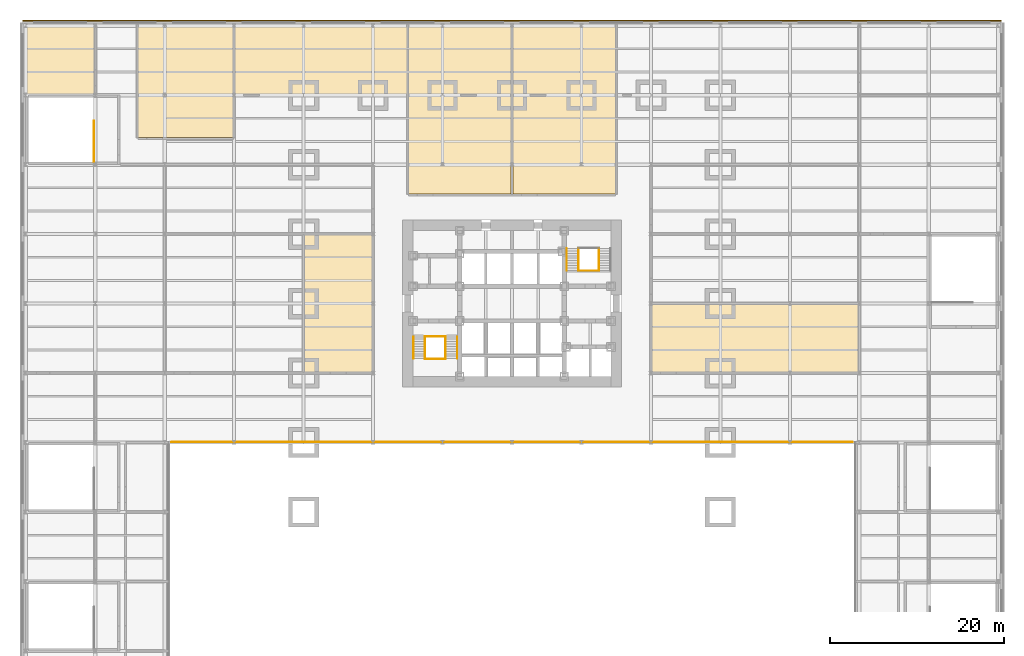
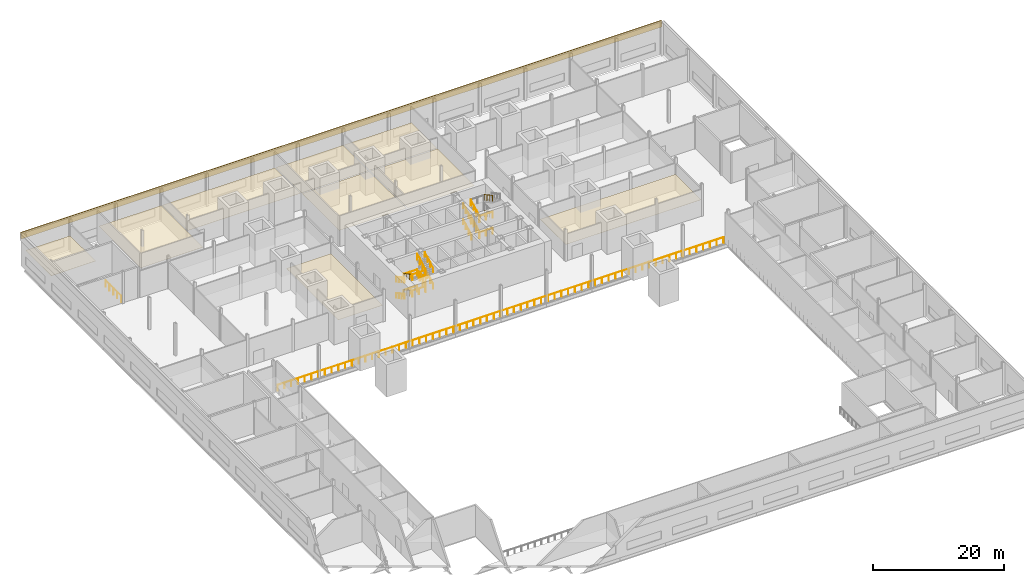
# One storey, part 20 of 21: 23 railings, 10 coverings.
"""IFC4 building model written with IfcOpenShell, lengths in metres."""

import ifcopenshell
import ifcopenshell.guid

model = None  # the IFC model being written
_history = None  # IfcOwnerHistory: only IFC2X3 demands one
_inside = {}  # id of a spatial element -> (the spatial element, [elements in it])
_under = {}  # id of a project, library or spatial element -> (it, [spatial elements below it])
_declared = {}  # id of a project -> (the project, [libraries it declares])
_typed = {}  # id of a type object -> (the type object, [elements of that type])
_made_of = {}  # id of a material, layer set ... -> (it, [elements and type objects made of it])


def new_model(schema):
    """Start an empty IFC model of exactly this schema.

    Asked for "IFC4X3", IfcOpenShell would pick the latest addendum, in which some entities
    have other attributes; the version numbers below select the first issue.
    IFC2X3 requires an IfcOwnerHistory on every rooted entity: one is made here for all.
    """
    global model, _history
    if schema == "IFC4X3":
        model = ifcopenshell.file(schema_version=(4, 3, 0, 0))
    else:
        model = ifcopenshell.file(schema=schema)
    _inside.clear()
    _under.clear()
    _declared.clear()
    _typed.clear()
    _made_of.clear()
    _history = None
    if model.schema == "IFC2X3":
        org = make("IfcOrganization", Name="unknown")
        user = make(
            "IfcPersonAndOrganization",
            ThePerson=make("IfcPerson", FamilyName="unknown"),
            TheOrganization=org,
        )
        app = make(
            "IfcApplication",
            ApplicationDeveloper=org,
            Version="unknown",
            ApplicationFullName="unknown",
            ApplicationIdentifier="unknown",
        )
        _history = make(
            "IfcOwnerHistory",
            OwningUser=user,
            OwningApplication=app,
            ChangeAction="ADDED",
            CreationDate=0,
        )
    return model


def make(cls, **values):
    """One entity of the class cls with the attributes given. An attribute that is None is left unset."""
    return model.create_entity(
        cls, **{name: value for name, value in values.items() if value is not None}
    )


def rooted(cls, **values):
    """An entity with a GlobalId (a new one), such as an element, a storey or a relation."""
    return make(cls, GlobalId=ifcopenshell.guid.new(), OwnerHistory=_history, **values)


def si_unit(unit_type, name, prefix=None):
    """IfcSIUnit, for example si_unit("LENGTHUNIT", "METRE", prefix="MILLI")."""
    return make("IfcSIUnit", UnitType=unit_type, Prefix=prefix, Name=name)


def assignment(units):
    """IfcUnitAssignment: the units of a project."""
    return None if units is None else make("IfcUnitAssignment", Units=units)


def point(xyz):
    """IfcCartesianPoint."""
    return None if xyz is None else make("IfcCartesianPoint", Coordinates=xyz)


def direction(xyz):
    """IfcDirection."""
    return None if xyz is None else make("IfcDirection", DirectionRatios=xyz)


def frame(location, z_axis=None, x_axis=None):
    """IfcAxis2Placement3D, a coordinate frame: its origin and axes. An axis left out is left unset."""
    return make(
        "IfcAxis2Placement3D",
        Location=point(location),
        Axis=direction(z_axis),
        RefDirection=direction(x_axis),
    )


def frame_2d(location, x_axis=None):
    """IfcAxis2Placement2D, a coordinate frame in the plane: its origin and x axis."""
    return make(
        "IfcAxis2Placement2D", Location=point(location), RefDirection=direction(x_axis)
    )


def origin():
    """The frame at (0, 0, 0) with its axes left unset."""
    return frame((0.0, 0.0, 0.0))


def origin_2d():
    """The frame at (0, 0) in the plane with its x axis left unset."""
    return frame_2d((0.0, 0.0))


def place(relative_to, where):
    """IfcLocalPlacement: puts the frame where relative to a parent placement (None: the world)."""
    return make(
        "IfcLocalPlacement", PlacementRelTo=relative_to, RelativePlacement=where
    )


def context(
    kind, dimensions, precision=None, world=None, true_north=None, identifier=None
):
    """IfcGeometricRepresentationContext, for example the 3D "Model" context."""
    return make(
        "IfcGeometricRepresentationContext",
        ContextIdentifier=identifier,
        ContextType=kind,
        CoordinateSpaceDimension=dimensions,
        Precision=precision,
        WorldCoordinateSystem=world,
        TrueNorth=true_north,
    )


def subcontext(parent, identifier, kind, view, scale=None):
    """IfcGeometricRepresentationSubContext, for example "Body" below "Model"."""
    return make(
        "IfcGeometricRepresentationSubContext",
        ContextIdentifier=identifier,
        ContextType=kind,
        ParentContext=parent,
        TargetScale=scale,
        TargetView=view,
    )


def project(units=None, contexts=None):
    """IfcProject with its units and contexts."""
    return rooted(
        "IfcProject",
        Name="project",
        RepresentationContexts=contexts,
        UnitsInContext=assignment(units),
    )


def spatial(cls, under=None, at=None, **own):
    """A site, building, storey or space (cls), placed at a placement, below another one or the project."""
    s = rooted(cls, ObjectPlacement=at, **own)
    if under is not None:
        _under.setdefault(under.id(), (under, []))[1].append(s)
    return s


def polyline(points):
    """IfcPolyline through the points."""
    return make("IfcPolyline", Points=[point(p) for p in points])


def profile(cls, at=None, kind="AREA", **sizes):
    """A parametric profile (cls). Its sizes go by their IFC names, for example OverallWidth=200.0."""
    return make(cls, ProfileType=kind, Position=at, **sizes)


def rectangle(**sizes):
    """IfcRectangleProfileDef."""
    return profile("IfcRectangleProfileDef", **sizes)


def circle(**sizes):
    """IfcCircleProfileDef."""
    return profile("IfcCircleProfileDef", **sizes)


def outline(outer, holes=None, kind="AREA"):
    """IfcArbitraryClosedProfileDef: a profile drawn as a closed curve; with holes, ...WithVoids."""
    if holes is None:
        return make("IfcArbitraryClosedProfileDef", ProfileType=kind, OuterCurve=outer)
    return make(
        "IfcArbitraryProfileDefWithVoids",
        ProfileType=kind,
        OuterCurve=outer,
        InnerCurves=holes,
    )


def extrude(swept, where, along, depth):
    """IfcExtrudedAreaSolid: the profile swept, set in the frame where, extruded along a direction by depth."""
    return make(
        "IfcExtrudedAreaSolid",
        SweptArea=swept,
        Position=where,
        ExtrudedDirection=direction(along),
        Depth=depth,
    )


def shape(context_of_items, identifier, shape_type, items):
    """IfcShapeRepresentation: the items that make up one representation, for example the "Body"."""
    return make(
        "IfcShapeRepresentation",
        ContextOfItems=context_of_items,
        RepresentationIdentifier=identifier,
        RepresentationType=shape_type,
        Items=items,
    )


def material(Name=None, Category=None):
    """IfcMaterial."""
    return make("IfcMaterial", Name=Name, Category=Category)


def layer(
    of_material, thickness, ventilated=None, Name=None, Category=None, Priority=None
):
    """IfcMaterialLayer: one layer of a wall or slab, of a material (None: an air gap)."""
    return make(
        "IfcMaterialLayer",
        Material=of_material,
        LayerThickness=thickness,
        IsVentilated=ventilated,
        Name=Name,
        Category=Category,
        Priority=Priority,
    )


def layer_set(layers, Name=None):
    """IfcMaterialLayerSet."""
    return make("IfcMaterialLayerSet", MaterialLayers=layers, LayerSetName=Name)


def made_of(thing, what):
    """Note that an element or type object is made of a material, layer set ...; save() writes the relation."""
    if what is not None:
        _made_of.setdefault(what.id(), (what, []))[1].append(thing)
    return thing


def type_object(cls, material=None, **own):
    """A type object (cls), such as IfcWallType, which elements share."""
    return made_of(rooted(cls, **own), material)


def element(
    cls,
    number,
    at=None,
    inside=None,
    cuts=None,
    type_object=None,
    material=None,
    context=None,
    identifier="Body",
    shape_type=None,
    held_by="IfcProductDefinitionShape",
    body=None,
    shapes=None,
    **own,
):
    """One element of the class cls, such as IfcWall. Its Tag is "e" and its number.

    at: its placement. inside: the storey or other place that contains it. cuts: it is an
    opening in that element (IfcRelVoidsElement). A single representation is given by context,
    identifier, shape_type and body (its items); several are given by shapes. held_by: the class
    of the entity that holds the representations. save() writes the other relations.
    """
    e = rooted(cls, Tag="e%d" % number, ObjectPlacement=at, **own)
    if body is not None:
        shapes = [shape(context, identifier, shape_type, body)]
    if shapes is not None:
        e.Representation = make(held_by, Representations=shapes)
    if inside is not None:
        _inside.setdefault(inside.id(), (inside, []))[1].append(e)
    if cuts is not None:
        rooted(
            "IfcRelVoidsElement", RelatingBuildingElement=cuts, RelatedOpeningElement=e
        )
    if type_object is not None:
        _typed.setdefault(type_object.id(), (type_object, []))[1].append(e)
    return made_of(e, material)


def aggregate(whole, parts):
    """IfcRelAggregates: a whole, such as a stair, and the parts it consists of."""
    return rooted("IfcRelAggregates", RelatingObject=whole, RelatedObjects=parts)


def save(model, path):
    """Write the relations noted so far, then the file.

    IfcRelAggregates (storeys below a building ...), IfcRelContainedInSpatialStructure (elements
    in a storey), IfcRelDefinesByType, IfcRelAssociatesMaterial and IfcRelDeclares: one each for
    every whole, place, type object, material and project.
    """
    for whole, parts in _under.values():
        aggregate(whole, parts)
    for where, things in _inside.values():
        rooted(
            "IfcRelContainedInSpatialStructure",
            RelatedElements=things,
            RelatingStructure=where,
        )
    for kind, things in _typed.values():
        rooted("IfcRelDefinesByType", RelatedObjects=things, RelatingType=kind)
    for what, things in _made_of.values():
        rooted("IfcRelAssociatesMaterial", RelatedObjects=things, RelatingMaterial=what)
    for by, libraries in _declared.values():
        rooted("IfcRelDeclares", RelatingContext=by, RelatedDefinitions=libraries)
    model.write(path)


model = new_model("IFC4")

# Units and contexts
model_context = context("Model", 3, precision=1e-05, world=origin(), true_north=direction((0.0, 1.0)))
body_context = subcontext(model_context, "Body", "Model", "MODEL_VIEW")
ifc_project = project(units=[si_unit("LENGTHUNIT", "METRE"), si_unit("AREAUNIT", "SQUARE_METRE"), si_unit("VOLUMEUNIT", "CUBIC_METRE"), si_unit("PLANEANGLEUNIT", "RADIAN"), si_unit("MASSUNIT", "GRAM", prefix="KILO")], contexts=[model_context])

# Site, building, storey
site_placement = place(None, origin())
site = spatial("IfcSite", under=ifc_project, at=site_placement, CompositionType="ELEMENT")
building_placement = place(site_placement, origin())
building = spatial("IfcBuilding", under=site, at=building_placement, Name="Daluyong Arena Tower", CompositionType="ELEMENT")
storey_placement = place(building_placement, frame((0.0, 0.0, 19.89990234375)))
storey = spatial("IfcBuildingStorey", under=building, at=storey_placement, Name="L04", CompositionType="ELEMENT", Elevation=19.89990234375)

# Railing
ifc_material_1 = material(Name="Steel guard with glass infill", Category="steel")
railing_type_1 = type_object("IfcRailingType", Name="Floor edge guard 1100", PredefinedType="GUARDRAIL", material=ifc_material_1)
railing_1_placement = place(storey_placement, frame((16.81005859375, 64.050048828125, 0.0)))
element("IfcRailing", 1, at=railing_1_placement, inside=storey, type_object=railing_type_1, Name="floor edge guard L04", PredefinedType="GUARDRAIL", context=body_context, shape_type="SweptSolid", body=[
    extrude(circle(Radius=0.02392578125, at=origin_2d()), frame((0.0, 0.0, 1.076171875), z_axis=(1.0, 0.0, 0.0), x_axis=(0.0, 1.0, 0.0)), (0.0, 0.0, 1.0), 78.3798828125),
    extrude(circle(Radius=0.02099609375, at=origin_2d()), origin(), (0.0, 0.0, 1.0), 1.052001953125),
    extrude(circle(Radius=0.02099609375, at=origin_2d()), frame((1.1875, 0.0, 0.0)), (0.0, 0.0, 1.0), 1.052001953125),
    extrude(circle(Radius=0.02099609375, at=origin_2d()), frame((2.375244140625, 0.0, 0.0)), (0.0, 0.0, 1.0), 1.052001953125),
    extrude(circle(Radius=0.02099609375, at=origin_2d()), frame((3.562744140625, 0.0, 0.0)), (0.0, 0.0, 1.0), 1.052001953125),
    extrude(circle(Radius=0.02099609375, at=origin_2d()), frame((4.750244140625, 0.0, 0.0)), (0.0, 0.0, 1.0), 1.052001953125),
    extrude(circle(Radius=0.02099609375, at=origin_2d()), frame((5.93798828125, 0.0, 0.0)), (0.0, 0.0, 1.0), 1.052001953125),
    extrude(circle(Radius=0.02099609375, at=origin_2d()), frame((7.12548828125, 0.0, 0.0)), (0.0, 0.0, 1.0), 1.052001953125),
    extrude(circle(Radius=0.02099609375, at=origin_2d()), frame((8.31298828125, 0.0, 0.0)), (0.0, 0.0, 1.0), 1.052001953125),
    extrude(circle(Radius=0.02099609375, at=origin_2d()), frame((9.50048828125, 0.0, 0.0)), (0.0, 0.0, 1.0), 1.052001953125),
    extrude(circle(Radius=0.02099609375, at=origin_2d()), frame((10.688232421875, 0.0, 0.0)), (0.0, 0.0, 1.0), 1.052001953125),
    extrude(circle(Radius=0.02099609375, at=origin_2d()), frame((11.875732421875, 0.0, 0.0)), (0.0, 0.0, 1.0), 1.052001953125),
    extrude(circle(Radius=0.02099609375, at=origin_2d()), frame((13.063232421875, 0.0, 0.0)), (0.0, 0.0, 1.0), 1.052001953125),
    extrude(circle(Radius=0.02099609375, at=origin_2d()), frame((14.2509765625, 0.0, 0.0)), (0.0, 0.0, 1.0), 1.052001953125),
    extrude(circle(Radius=0.02099609375, at=origin_2d()), frame((15.4384765625, 0.0, 0.0)), (0.0, 0.0, 1.0), 1.052001953125),
    extrude(circle(Radius=0.02099609375, at=origin_2d()), frame((16.6259765625, 0.0, 0.0)), (0.0, 0.0, 1.0), 1.052001953125),
    extrude(circle(Radius=0.02099609375, at=origin_2d()), frame((17.813720703125, 0.0, 0.0)), (0.0, 0.0, 1.0), 1.052001953125),
    extrude(circle(Radius=0.02099609375, at=origin_2d()), frame((19.001220703125, 0.0, 0.0)), (0.0, 0.0, 1.0), 1.052001953125),
    extrude(circle(Radius=0.02099609375, at=origin_2d()), frame((20.188720703125, 0.0, 0.0)), (0.0, 0.0, 1.0), 1.052001953125),
    extrude(circle(Radius=0.02099609375, at=origin_2d()), frame((21.376220703125, 0.0, 0.0)), (0.0, 0.0, 1.0), 1.052001953125),
    extrude(circle(Radius=0.02099609375, at=origin_2d()), frame((22.56396484375, 0.0, 0.0)), (0.0, 0.0, 1.0), 1.052001953125),
    extrude(circle(Radius=0.02099609375, at=origin_2d()), frame((23.75146484375, 0.0, 0.0)), (0.0, 0.0, 1.0), 1.052001953125),
    extrude(circle(Radius=0.02099609375, at=origin_2d()), frame((24.93896484375, 0.0, 0.0)), (0.0, 0.0, 1.0), 1.052001953125),
    extrude(circle(Radius=0.02099609375, at=origin_2d()), frame((26.126708984375, 0.0, 0.0)), (0.0, 0.0, 1.0), 1.052001953125),
    extrude(circle(Radius=0.02099609375, at=origin_2d()), frame((27.314208984375, 0.0, 0.0)), (0.0, 0.0, 1.0), 1.052001953125),
    extrude(circle(Radius=0.02099609375, at=origin_2d()), frame((28.501708984375, 0.0, 0.0)), (0.0, 0.0, 1.0), 1.052001953125),
    extrude(circle(Radius=0.02099609375, at=origin_2d()), frame((29.689453125, 0.0, 0.0)), (0.0, 0.0, 1.0), 1.052001953125),
    extrude(circle(Radius=0.02099609375, at=origin_2d()), frame((30.876953125, 0.0, 0.0)), (0.0, 0.0, 1.0), 1.052001953125),
    extrude(circle(Radius=0.02099609375, at=origin_2d()), frame((32.064453125, 0.0, 0.0)), (0.0, 0.0, 1.0), 1.052001953125),
    extrude(circle(Radius=0.02099609375, at=origin_2d()), frame((33.251953125, 0.0, 0.0)), (0.0, 0.0, 1.0), 1.052001953125),
    extrude(circle(Radius=0.02099609375, at=origin_2d()), frame((34.439697265625, 0.0, 0.0)), (0.0, 0.0, 1.0), 1.052001953125),
    extrude(circle(Radius=0.02099609375, at=origin_2d()), frame((35.627197265625, 0.0, 0.0)), (0.0, 0.0, 1.0), 1.052001953125),
    extrude(circle(Radius=0.02099609375, at=origin_2d()), frame((36.814697265625, 0.0, 0.0)), (0.0, 0.0, 1.0), 1.052001953125),
    extrude(circle(Radius=0.02099609375, at=origin_2d()), frame((38.00244140625, 0.0, 0.0)), (0.0, 0.0, 1.0), 1.052001953125),
    extrude(circle(Radius=0.02099609375, at=origin_2d()), frame((39.18994140625, 0.0, 0.0)), (0.0, 0.0, 1.0), 1.052001953125),
    extrude(circle(Radius=0.02099609375, at=origin_2d()), frame((40.37744140625, 0.0, 0.0)), (0.0, 0.0, 1.0), 1.052001953125),
    extrude(circle(Radius=0.02099609375, at=origin_2d()), frame((41.565185546875, 0.0, 0.0)), (0.0, 0.0, 1.0), 1.052001953125),
    extrude(circle(Radius=0.02099609375, at=origin_2d()), frame((42.752685546875, 0.0, 0.0)), (0.0, 0.0, 1.0), 1.052001953125),
    extrude(circle(Radius=0.02099609375, at=origin_2d()), frame((43.940185546875, 0.0, 0.0)), (0.0, 0.0, 1.0), 1.052001953125),
    extrude(circle(Radius=0.02099609375, at=origin_2d()), frame((45.1279296875, 0.0, 0.0)), (0.0, 0.0, 1.0), 1.052001953125),
    extrude(circle(Radius=0.02099609375, at=origin_2d()), frame((46.3154296875, 0.0, 0.0)), (0.0, 0.0, 1.0), 1.052001953125),
    extrude(circle(Radius=0.02099609375, at=origin_2d()), frame((47.5029296875, 0.0, 0.0)), (0.0, 0.0, 1.0), 1.052001953125),
    extrude(circle(Radius=0.02099609375, at=origin_2d()), frame((48.6904296875, 0.0, 0.0)), (0.0, 0.0, 1.0), 1.052001953125),
    extrude(circle(Radius=0.02099609375, at=origin_2d()), frame((49.878173828125, 0.0, 0.0)), (0.0, 0.0, 1.0), 1.052001953125),
    extrude(circle(Radius=0.02099609375, at=origin_2d()), frame((51.065673828125, 0.0, 0.0)), (0.0, 0.0, 1.0), 1.052001953125),
    extrude(circle(Radius=0.02099609375, at=origin_2d()), frame((52.253173828125, 0.0, 0.0)), (0.0, 0.0, 1.0), 1.052001953125),
    extrude(circle(Radius=0.02099609375, at=origin_2d()), frame((53.44091796875, 0.0, 0.0)), (0.0, 0.0, 1.0), 1.052001953125),
    extrude(circle(Radius=0.02099609375, at=origin_2d()), frame((54.62841796875, 0.0, 0.0)), (0.0, 0.0, 1.0), 1.052001953125),
    extrude(circle(Radius=0.02099609375, at=origin_2d()), frame((55.81591796875, 0.0, 0.0)), (0.0, 0.0, 1.0), 1.052001953125),
    extrude(circle(Radius=0.02099609375, at=origin_2d()), frame((57.003662109375, 0.0, 0.0)), (0.0, 0.0, 1.0), 1.052001953125),
    extrude(circle(Radius=0.02099609375, at=origin_2d()), frame((58.191162109375, 0.0, 0.0)), (0.0, 0.0, 1.0), 1.052001953125),
    extrude(circle(Radius=0.02099609375, at=origin_2d()), frame((59.378662109375, 0.0, 0.0)), (0.0, 0.0, 1.0), 1.052001953125),
    extrude(circle(Radius=0.02099609375, at=origin_2d()), frame((60.566162109375, 0.0, 0.0)), (0.0, 0.0, 1.0), 1.052001953125),
    extrude(circle(Radius=0.02099609375, at=origin_2d()), frame((61.75390625, 0.0, 0.0)), (0.0, 0.0, 1.0), 1.052001953125),
    extrude(circle(Radius=0.02099609375, at=origin_2d()), frame((62.94140625, 0.0, 0.0)), (0.0, 0.0, 1.0), 1.052001953125),
    extrude(circle(Radius=0.02099609375, at=origin_2d()), frame((64.12890625, 0.0, 0.0)), (0.0, 0.0, 1.0), 1.052001953125),
    extrude(circle(Radius=0.02099609375, at=origin_2d()), frame((65.316650390625, 0.0, 0.0)), (0.0, 0.0, 1.0), 1.052001953125),
    extrude(circle(Radius=0.02099609375, at=origin_2d()), frame((66.504150390625, 0.0, 0.0)), (0.0, 0.0, 1.0), 1.052001953125),
    extrude(circle(Radius=0.02099609375, at=origin_2d()), frame((67.691650390625, 0.0, 0.0)), (0.0, 0.0, 1.0), 1.052001953125),
    extrude(circle(Radius=0.02099609375, at=origin_2d()), frame((68.87939453125, 0.0, 0.0)), (0.0, 0.0, 1.0), 1.052001953125),
    extrude(circle(Radius=0.02099609375, at=origin_2d()), frame((70.06689453125, 0.0, 0.0)), (0.0, 0.0, 1.0), 1.052001953125),
    extrude(circle(Radius=0.02099609375, at=origin_2d()), frame((71.25439453125, 0.0, 0.0)), (0.0, 0.0, 1.0), 1.052001953125),
    extrude(circle(Radius=0.02099609375, at=origin_2d()), frame((72.44189453125, 0.0, 0.0)), (0.0, 0.0, 1.0), 1.052001953125),
    extrude(circle(Radius=0.02099609375, at=origin_2d()), frame((73.629638671875, 0.0, 0.0)), (0.0, 0.0, 1.0), 1.052001953125),
    extrude(circle(Radius=0.02099609375, at=origin_2d()), frame((74.817138671875, 0.0, 0.0)), (0.0, 0.0, 1.0), 1.052001953125),
    extrude(circle(Radius=0.02099609375, at=origin_2d()), frame((76.004638671875, 0.0, 0.0)), (0.0, 0.0, 1.0), 1.052001953125),
    extrude(circle(Radius=0.02099609375, at=origin_2d()), frame((77.1923828125, 0.0, 0.0)), (0.0, 0.0, 1.0), 1.052001953125),
    extrude(circle(Radius=0.02099609375, at=origin_2d()), frame((78.3798828125, 0.0, 0.0)), (0.0, 0.0, 1.0), 1.052001953125),
])

# Coverings
ifc_material_2 = material(Name="Mineral fibre ceiling tile", Category="gypsum board")
ifc_layer_1 = layer(ifc_material_2, 0.02001953125)
ifc_layer_set_1 = layer_set([ifc_layer_1], Name="Mineral fibre ceiling tile")
covering_type_1 = type_object("IfcCoveringType", Name="Office ceiling", PredefinedType="CEILING", material=ifc_layer_set_1)
covering_1_placement = place(storey_placement, frame((0.0, 0.0, 2.900146484375)))
element("IfcCovering", 2, at=covering_1_placement, inside=storey, type_object=covering_type_1, Name="ceiling L04-48", PredefinedType="CEILING", context=body_context, shape_type="SweptSolid", body=[
    extrude(outline(polyline([(39.89990234375, 72.10009765625), (39.89990234375, 87.89990234375), (32.10009765625, 87.89990234375), (32.10009765625, 72.10009765625), (39.89990234375, 72.10009765625)])), origin(), (0.0, 0.0, 1.0), 0.02001953125),
])
covering_2_placement = place(storey_placement, frame((0.0, 0.0, 2.900146484375)))
element("IfcCovering", 3, at=covering_2_placement, inside=storey, type_object=covering_type_1, Name="ceiling L04-50", PredefinedType="CEILING", context=body_context, shape_type="SweptSolid", body=[
    extrude(outline(polyline([(23.89990234375, 99.10009765625), (23.89990234375, 111.89990234375), (12.949951171875, 111.89990234375), (12.949951171875, 99.10009765625), (23.89990234375, 99.10009765625)])), origin(), (0.0, 0.0, 1.0), 0.02001953125),
])
covering_3_placement = place(storey_placement, frame((0.0, 0.0, 2.900146484375)))
element("IfcCovering", 4, at=covering_3_placement, inside=storey, type_object=covering_type_1, Name="ceiling L04-51", PredefinedType="CEILING", context=body_context, shape_type="SweptSolid", body=[
    extrude(outline(polyline([(7.89990234375, 104.10009765625), (7.89990234375, 111.89990234375), (0.10009765625, 111.89990234375), (0.10009765625, 104.10009765625), (7.89990234375, 104.10009765625)])), origin(), (0.0, 0.0, 1.0), 0.02001953125),
])
covering_4_placement = place(storey_placement, frame((0.0, 0.0, 2.900146484375)))
element("IfcCovering", 5, at=covering_4_placement, inside=storey, type_object=covering_type_1, Name="ceiling L04-52", PredefinedType="CEILING", context=body_context, shape_type="SweptSolid", body=[
    extrude(outline(polyline([(43.89990234375, 104.10009765625), (43.89990234375, 111.89990234375), (24.10009765625, 111.89990234375), (24.10009765625, 104.10009765625), (43.89990234375, 104.10009765625)])), origin(), (0.0, 0.0, 1.0), 0.02001953125),
])
covering_5_placement = place(storey_placement, frame((0.0, 0.0, 2.900146484375)))
element("IfcCovering", 6, at=covering_5_placement, inside=storey, type_object=covering_type_1, Name="ceiling L04-53", PredefinedType="CEILING", context=body_context, shape_type="SweptSolid", body=[
    extrude(outline(polyline([(55.89990234375, 92.60009765625), (55.89990234375, 103.89990234375), (44.10009765625, 103.89990234375), (44.10009765625, 92.60009765625), (55.89990234375, 92.60009765625)])), origin(), (0.0, 0.0, 1.0), 0.02001953125),
])
covering_6_placement = place(storey_placement, frame((0.0, 0.0, 2.900146484375)))
element("IfcCovering", 7, at=covering_6_placement, inside=storey, type_object=covering_type_1, Name="ceiling L04-54", PredefinedType="CEILING", context=body_context, shape_type="SweptSolid", body=[
    extrude(outline(polyline([(55.89990234375, 104.10009765625), (55.89990234375, 111.89990234375), (44.10009765625, 111.89990234375), (44.10009765625, 104.10009765625), (55.89990234375, 104.10009765625)])), origin(), (0.0, 0.0, 1.0), 0.02001953125),
])
covering_7_placement = place(storey_placement, frame((0.0, 0.0, 2.900146484375)))
element("IfcCovering", 8, at=covering_7_placement, inside=storey, type_object=covering_type_1, Name="ceiling L04-55", PredefinedType="CEILING", context=body_context, shape_type="SweptSolid", body=[
    extrude(outline(polyline([(67.89990234375, 92.60009765625), (67.89990234375, 103.89990234375), (56.10009765625, 103.89990234375), (56.10009765625, 92.60009765625), (67.89990234375, 92.60009765625)])), origin(), (0.0, 0.0, 1.0), 0.02001953125),
])
covering_8_placement = place(storey_placement, frame((0.0, 0.0, 2.900146484375)))
element("IfcCovering", 9, at=covering_8_placement, inside=storey, type_object=covering_type_1, Name="ceiling L04-56", PredefinedType="CEILING", context=body_context, shape_type="SweptSolid", body=[
    extrude(outline(polyline([(67.89990234375, 104.10009765625), (67.89990234375, 111.89990234375), (56.10009765625, 111.89990234375), (56.10009765625, 104.10009765625), (67.89990234375, 104.10009765625)])), origin(), (0.0, 0.0, 1.0), 0.02001953125),
])
covering_9_placement = place(storey_placement, frame((0.0, 0.0, 2.900146484375)))
element("IfcCovering", 10, at=covering_9_placement, inside=storey, type_object=covering_type_1, Name="ceiling L04-59", PredefinedType="CEILING", context=body_context, shape_type="SweptSolid", body=[
    extrude(outline(polyline([(95.89990234375, 72.10009765625), (95.89990234375, 79.89990234375), (72.10009765625, 79.89990234375), (72.10009765625, 72.10009765625), (95.89990234375, 72.10009765625)])), origin(), (0.0, 0.0, 1.0), 0.02001953125),
])
ifc_material_3 = material(Name="Red-pigmented glass fibre reinforced concrete", Category="concrete")
ifc_layer_2 = layer(ifc_material_3, 0.14990234375)
ifc_layer_set_2 = layer_set([ifc_layer_2], Name="Red-pigmented glass fibre reinforced concrete")
covering_type_2 = type_object("IfcCoveringType", Name="Podium band cladding", PredefinedType="CLADDING", material=ifc_layer_set_2)
covering_10_placement = place(storey_placement, frame((56.0, 112.574951171875, 4.80029296875), z_axis=(0.0, 0.0, 1.0), x_axis=(-1.0, 0.0, 0.0)))
element("IfcCovering", 11, at=covering_10_placement, inside=storey, type_object=covering_type_2, Name="podium band N L04", PredefinedType="CLADDING", context=body_context, shape_type="SweptSolid", body=[
    extrude(rectangle(XDim=112.699951171875, YDim=0.14990234375, at=origin_2d()), origin(), (0.0, 0.0, 1.0), 1.199951171875),
])

# Railings
ifc_material_4 = material(Name="Stainless steel handrail", Category="steel")
railing_type_2 = type_object("IfcRailingType", Name="Stair handrail", PredefinedType="HANDRAIL", material=ifc_material_4)
railing_2_placement = place(storey_placement, frame((44.64990234375, 76.175048828125, 0.150146484375)))
element("IfcRailing", 12, at=railing_2_placement, inside=storey, type_object=railing_type_2, Name="exit stair A handrail L04", PredefinedType="HANDRAIL", context=body_context, shape_type="SweptSolid", body=[
    extrude(circle(Radius=0.02392578125, at=origin_2d()), frame((0.0, 0.0, 0.8759765625), z_axis=(0.0, -0.88150282143, 0.472178754087), x_axis=(1.0, 0.0, 0.0)), (0.0, 0.0, 1.0), 2.85888671875),
    extrude(circle(Radius=0.02099609375, at=origin_2d()), origin(), (0.0, 0.0, 1.0), 0.851806640625),
    extrude(circle(Radius=0.02099609375, at=origin_2d()), frame((0.0, -0.840087890625, 0.449951171875)), (0.0, 0.0, 1.0), 0.851806640625),
    extrude(circle(Radius=0.02099609375, at=origin_2d()), frame((0.0, -1.679931640625, 0.89990234375)), (0.0, 0.0, 1.0), 0.851806640625),
    extrude(circle(Radius=0.02099609375, at=origin_2d()), frame((0.0, -2.52001953125, 1.349853515625)), (0.0, 0.0, 1.0), 0.851806640625),
])
railing_3_placement = place(storey_placement, frame((49.699951171875, 73.655029296875, 1.650146484375)))
element("IfcRailing", 13, at=railing_3_placement, inside=storey, type_object=railing_type_2, Name="exit stair A handrail L04", PredefinedType="HANDRAIL", context=body_context, shape_type="SweptSolid", body=[
    extrude(circle(Radius=0.02392578125, at=origin_2d()), frame((0.0, 0.0, 0.8759765625), z_axis=(0.0, 0.88150282143, 0.472178754087), x_axis=(-1.0, 0.0, 0.0)), (0.0, 0.0, 1.0), 2.85888671875),
    extrude(circle(Radius=0.02099609375, at=origin_2d()), origin(), (0.0, 0.0, 1.0), 0.851806640625),
    extrude(circle(Radius=0.02099609375, at=origin_2d()), frame((0.0, 0.840087890625, 0.449951171875)), (0.0, 0.0, 1.0), 0.851806640625),
    extrude(circle(Radius=0.02099609375, at=origin_2d()), frame((0.0, 1.679931640625, 0.89990234375)), (0.0, 0.0, 1.0), 0.851806640625),
    extrude(circle(Radius=0.02099609375, at=origin_2d()), frame((0.0, 2.52001953125, 1.349853515625)), (0.0, 0.0, 1.0), 0.851806640625),
])
railing_4_placement = place(storey_placement, frame((44.64990234375, 76.175048828125, 3.150146484375)))
element("IfcRailing", 14, at=railing_4_placement, inside=storey, type_object=railing_type_2, Name="exit stair A handrail L04", PredefinedType="HANDRAIL", context=body_context, shape_type="SweptSolid", body=[
    extrude(circle(Radius=0.02392578125, at=origin_2d()), frame((0.0, 0.0, 0.8759765625), z_axis=(0.0, -0.88150282143, 0.472178754087), x_axis=(1.0, 0.0, 0.0)), (0.0, 0.0, 1.0), 2.85888671875),
    extrude(circle(Radius=0.02099609375, at=origin_2d()), origin(), (0.0, 0.0, 1.0), 0.851806640625),
    extrude(circle(Radius=0.02099609375, at=origin_2d()), frame((0.0, -0.840087890625, 0.449951171875)), (0.0, 0.0, 1.0), 0.851806640625),
    extrude(circle(Radius=0.02099609375, at=origin_2d()), frame((0.0, -1.679931640625, 0.89990234375)), (0.0, 0.0, 1.0), 0.851806640625),
    extrude(circle(Radius=0.02099609375, at=origin_2d()), frame((0.0, -2.52001953125, 1.349853515625)), (0.0, 0.0, 1.0), 0.851806640625),
])
for number, where, name in (
    (15, (49.699951171875, 73.655029296875, 4.650146484375), "exit stair A handrail L04"),
    (16, (62.300048828125, 83.824951171875, 0.150146484375), "exit stair B handrail L04"),
    (17, (62.300048828125, 83.824951171875, 3.150146484375), "exit stair B handrail L04"),
):
    element("IfcRailing", number, at=place(storey_placement, frame(where)), inside=storey, type_object=railing_type_2, Name=name, PredefinedType="HANDRAIL", context=body_context, shape_type="SweptSolid", body=[
        extrude(circle(Radius=0.02392578125, at=origin_2d()), frame((0.0, 0.0, 0.8759765625), z_axis=(0.0, 0.88150282143, 0.472178754087), x_axis=(-1.0, 0.0, 0.0)), (0.0, 0.0, 1.0), 2.85888671875),
        extrude(circle(Radius=0.02099609375, at=origin_2d()), origin(), (0.0, 0.0, 1.0), 0.851806640625),
        extrude(circle(Radius=0.02099609375, at=origin_2d()), frame((0.0, 0.840087890625, 0.449951171875)), (0.0, 0.0, 1.0), 0.851806640625),
        extrude(circle(Radius=0.02099609375, at=origin_2d()), frame((0.0, 1.679931640625, 0.89990234375)), (0.0, 0.0, 1.0), 0.851806640625),
        extrude(circle(Radius=0.02099609375, at=origin_2d()), frame((0.0, 2.52001953125, 1.349853515625)), (0.0, 0.0, 1.0), 0.851806640625),
    ])
ifc_material_5 = material(Name="Steel balustrade", Category="steel")
railing_type_3 = type_object("IfcRailingType", Name="Stair well guard 1100", PredefinedType="GUARDRAIL", material=ifc_material_5)
railing_5_placement = place(storey_placement, frame((46.0, 76.175048828125, 0.150146484375)))
element("IfcRailing", 18, at=railing_5_placement, inside=storey, type_object=railing_type_3, Name="exit stair A well guard L04", PredefinedType="GUARDRAIL", context=body_context, shape_type="SweptSolid", body=[
    extrude(circle(Radius=0.02392578125, at=origin_2d()), frame((0.0, 0.0, 1.076171875), z_axis=(0.0, -0.88150282143, 0.472178754087), x_axis=(1.0, 0.0, 0.0)), (0.0, 0.0, 1.0), 2.85888671875),
    extrude(circle(Radius=0.02099609375, at=origin_2d()), origin(), (0.0, 0.0, 1.0), 1.052001953125),
    extrude(circle(Radius=0.02099609375, at=origin_2d()), frame((0.0, -0.840087890625, 0.449951171875)), (0.0, 0.0, 1.0), 1.052001953125),
    extrude(circle(Radius=0.02099609375, at=origin_2d()), frame((0.0, -1.679931640625, 0.89990234375)), (0.0, 0.0, 1.0), 1.052001953125),
    extrude(circle(Radius=0.02099609375, at=origin_2d()), frame((0.0, -2.52001953125, 1.349853515625)), (0.0, 0.0, 1.0), 1.052001953125),
])
railing_6_placement = place(storey_placement, frame((48.35009765625, 73.655029296875, 1.650146484375)))
element("IfcRailing", 19, at=railing_6_placement, inside=storey, type_object=railing_type_3, Name="exit stair A well guard L04", PredefinedType="GUARDRAIL", context=body_context, shape_type="SweptSolid", body=[
    extrude(circle(Radius=0.02392578125, at=origin_2d()), frame((0.0, 0.0, 1.076171875), z_axis=(0.0, 0.88150282143, 0.472178754087), x_axis=(-1.0, 0.0, 0.0)), (0.0, 0.0, 1.0), 2.85888671875),
    extrude(circle(Radius=0.02099609375, at=origin_2d()), origin(), (0.0, 0.0, 1.0), 1.052001953125),
    extrude(circle(Radius=0.02099609375, at=origin_2d()), frame((0.0, 0.840087890625, 0.449951171875)), (0.0, 0.0, 1.0), 1.052001953125),
    extrude(circle(Radius=0.02099609375, at=origin_2d()), frame((0.0, 1.679931640625, 0.89990234375)), (0.0, 0.0, 1.0), 1.052001953125),
    extrude(circle(Radius=0.02099609375, at=origin_2d()), frame((0.0, 2.52001953125, 1.349853515625)), (0.0, 0.0, 1.0), 1.052001953125),
])
railing_7_placement = place(storey_placement, frame((46.0, 76.175048828125, 3.150146484375)))
element("IfcRailing", 20, at=railing_7_placement, inside=storey, type_object=railing_type_3, Name="exit stair A well guard L04", PredefinedType="GUARDRAIL", context=body_context, shape_type="SweptSolid", body=[
    extrude(circle(Radius=0.02392578125, at=origin_2d()), frame((0.0, 0.0, 1.076171875), z_axis=(0.0, -0.88150282143, 0.472178754087), x_axis=(1.0, 0.0, 0.0)), (0.0, 0.0, 1.0), 2.85888671875),
    extrude(circle(Radius=0.02099609375, at=origin_2d()), origin(), (0.0, 0.0, 1.0), 1.052001953125),
    extrude(circle(Radius=0.02099609375, at=origin_2d()), frame((0.0, -0.840087890625, 0.449951171875)), (0.0, 0.0, 1.0), 1.052001953125),
    extrude(circle(Radius=0.02099609375, at=origin_2d()), frame((0.0, -1.679931640625, 0.89990234375)), (0.0, 0.0, 1.0), 1.052001953125),
    extrude(circle(Radius=0.02099609375, at=origin_2d()), frame((0.0, -2.52001953125, 1.349853515625)), (0.0, 0.0, 1.0), 1.052001953125),
])
railing_8_placement = place(storey_placement, frame((48.35009765625, 73.655029296875, 4.650146484375)))
element("IfcRailing", 21, at=railing_8_placement, inside=storey, type_object=railing_type_3, Name="exit stair A well guard L04", PredefinedType="GUARDRAIL", context=body_context, shape_type="SweptSolid", body=[
    extrude(circle(Radius=0.02392578125, at=origin_2d()), frame((0.0, 0.0, 1.076171875), z_axis=(0.0, 0.88150282143, 0.472178754087), x_axis=(-1.0, 0.0, 0.0)), (0.0, 0.0, 1.0), 2.85888671875),
    extrude(circle(Radius=0.02099609375, at=origin_2d()), origin(), (0.0, 0.0, 1.0), 1.052001953125),
    extrude(circle(Radius=0.02099609375, at=origin_2d()), frame((0.0, 0.840087890625, 0.449951171875)), (0.0, 0.0, 1.0), 1.052001953125),
    extrude(circle(Radius=0.02099609375, at=origin_2d()), frame((0.0, 1.679931640625, 0.89990234375)), (0.0, 0.0, 1.0), 1.052001953125),
    extrude(circle(Radius=0.02099609375, at=origin_2d()), frame((0.0, 2.52001953125, 1.349853515625)), (0.0, 0.0, 1.0), 1.052001953125),
])
for number, where, name in (
    (22, (46.0, 73.60498046875, 1.5), "exit stair A landing guard L04"),
    (23, (46.0, 76.22509765625, 3.0), "exit stair A landing guard L04"),
    (24, (46.0, 73.60498046875, 4.5), "exit stair A landing guard L04"),
):
    element("IfcRailing", number, at=place(storey_placement, frame(where)), inside=storey, type_object=railing_type_3, Name=name, PredefinedType="GUARDRAIL", context=body_context, shape_type="SweptSolid", body=[
        extrude(circle(Radius=0.02392578125, at=origin_2d()), frame((0.0, 0.0, 1.076171875), z_axis=(1.0, 0.0, 0.0), x_axis=(0.0, 1.0, 0.0)), (0.0, 0.0, 1.0), 2.35009765625),
        extrude(circle(Radius=0.02099609375, at=origin_2d()), origin(), (0.0, 0.0, 1.0), 1.052001953125),
        extrude(circle(Radius=0.02099609375, at=origin_2d()), frame((1.175048828125, 0.0, 0.0)), (0.0, 0.0, 1.0), 1.052001953125),
        extrude(circle(Radius=0.02099609375, at=origin_2d()), frame((2.35009765625, 0.0, 0.0)), (0.0, 0.0, 1.0), 1.052001953125),
    ])
railing_9_placement = place(storey_placement, frame((48.35009765625, 73.60498046875, 3.0)))
element("IfcRailing", 25, at=railing_9_placement, inside=storey, type_object=railing_type_3, Name="exit stair A landing guard L04", PredefinedType="GUARDRAIL", context=body_context, shape_type="SweptSolid", body=[
    extrude(circle(Radius=0.02392578125, at=origin_2d()), frame((0.0, 0.0, 1.076171875), z_axis=(0.0, 1.0, 0.0), x_axis=(-1.0, 0.0, 0.0)), (0.0, 0.0, 1.0), 2.570068359375),
    extrude(circle(Radius=0.02099609375, at=origin_2d()), origin(), (0.0, 0.0, 1.0), 1.052001953125),
    extrude(circle(Radius=0.02099609375, at=origin_2d()), frame((0.0, 0.856689453125, 0.0)), (0.0, 0.0, 1.0), 1.052001953125),
    extrude(circle(Radius=0.02099609375, at=origin_2d()), frame((0.0, 1.71337890625, 0.0)), (0.0, 0.0, 1.0), 1.052001953125),
    extrude(circle(Radius=0.02099609375, at=origin_2d()), frame((0.0, 2.570068359375, 0.0)), (0.0, 0.0, 1.0), 1.052001953125),
])
railing_10_placement = place(storey_placement, frame((46.0, 76.22509765625, 0.0)))
element("IfcRailing", 26, at=railing_10_placement, inside=storey, type_object=railing_type_3, Name="exit stair A floor landing guard L04", PredefinedType="GUARDRAIL", context=body_context, shape_type="SweptSolid", body=[
    extrude(circle(Radius=0.02392578125, at=origin_2d()), frame((0.0, 0.0, 1.076171875), z_axis=(1.0, 0.0, 0.0), x_axis=(0.0, 1.0, 0.0)), (0.0, 0.0, 1.0), 2.35009765625),
    extrude(circle(Radius=0.02099609375, at=origin_2d()), origin(), (0.0, 0.0, 1.0), 1.052001953125),
    extrude(circle(Radius=0.02099609375, at=origin_2d()), frame((1.175048828125, 0.0, 0.0)), (0.0, 0.0, 1.0), 1.052001953125),
    extrude(circle(Radius=0.02099609375, at=origin_2d()), frame((2.35009765625, 0.0, 0.0)), (0.0, 0.0, 1.0), 1.052001953125),
])
railing_11_placement = place(storey_placement, frame((63.64990234375, 83.824951171875, 0.150146484375)))
element("IfcRailing", 27, at=railing_11_placement, inside=storey, type_object=railing_type_3, Name="exit stair B well guard L04", PredefinedType="GUARDRAIL", context=body_context, shape_type="SweptSolid", body=[
    extrude(circle(Radius=0.02392578125, at=origin_2d()), frame((0.0, 0.0, 1.076171875), z_axis=(0.0, 0.88150282143, 0.472178754087), x_axis=(-1.0, 0.0, 0.0)), (0.0, 0.0, 1.0), 2.85888671875),
    extrude(circle(Radius=0.02099609375, at=origin_2d()), origin(), (0.0, 0.0, 1.0), 1.052001953125),
    extrude(circle(Radius=0.02099609375, at=origin_2d()), frame((0.0, 0.840087890625, 0.449951171875)), (0.0, 0.0, 1.0), 1.052001953125),
    extrude(circle(Radius=0.02099609375, at=origin_2d()), frame((0.0, 1.679931640625, 0.89990234375)), (0.0, 0.0, 1.0), 1.052001953125),
    extrude(circle(Radius=0.02099609375, at=origin_2d()), frame((0.0, 2.52001953125, 1.349853515625)), (0.0, 0.0, 1.0), 1.052001953125),
])
railing_12_placement = place(storey_placement, frame((66.0, 86.344970703125, 1.650146484375)))
element("IfcRailing", 28, at=railing_12_placement, inside=storey, type_object=railing_type_3, Name="exit stair B well guard L04", PredefinedType="GUARDRAIL", context=body_context, shape_type="SweptSolid", body=[
    extrude(circle(Radius=0.02392578125, at=origin_2d()), frame((0.0, 0.0, 1.076171875), z_axis=(0.0, -0.88150282143, 0.472178754087), x_axis=(1.0, 0.0, 0.0)), (0.0, 0.0, 1.0), 2.85888671875),
    extrude(circle(Radius=0.02099609375, at=origin_2d()), origin(), (0.0, 0.0, 1.0), 1.052001953125),
    extrude(circle(Radius=0.02099609375, at=origin_2d()), frame((0.0, -0.840087890625, 0.449951171875)), (0.0, 0.0, 1.0), 1.052001953125),
    extrude(circle(Radius=0.02099609375, at=origin_2d()), frame((0.0, -1.679931640625, 0.89990234375)), (0.0, 0.0, 1.0), 1.052001953125),
    extrude(circle(Radius=0.02099609375, at=origin_2d()), frame((0.0, -2.52001953125, 1.349853515625)), (0.0, 0.0, 1.0), 1.052001953125),
])
railing_13_placement = place(storey_placement, frame((63.64990234375, 83.824951171875, 3.150146484375)))
element("IfcRailing", 29, at=railing_13_placement, inside=storey, type_object=railing_type_3, Name="exit stair B well guard L04", PredefinedType="GUARDRAIL", context=body_context, shape_type="SweptSolid", body=[
    extrude(circle(Radius=0.02392578125, at=origin_2d()), frame((0.0, 0.0, 1.076171875), z_axis=(0.0, 0.88150282143, 0.472178754087), x_axis=(-1.0, 0.0, 0.0)), (0.0, 0.0, 1.0), 2.85888671875),
    extrude(circle(Radius=0.02099609375, at=origin_2d()), origin(), (0.0, 0.0, 1.0), 1.052001953125),
    extrude(circle(Radius=0.02099609375, at=origin_2d()), frame((0.0, 0.840087890625, 0.449951171875)), (0.0, 0.0, 1.0), 1.052001953125),
    extrude(circle(Radius=0.02099609375, at=origin_2d()), frame((0.0, 1.679931640625, 0.89990234375)), (0.0, 0.0, 1.0), 1.052001953125),
    extrude(circle(Radius=0.02099609375, at=origin_2d()), frame((0.0, 2.52001953125, 1.349853515625)), (0.0, 0.0, 1.0), 1.052001953125),
])
railing_14_placement = place(storey_placement, frame((66.0, 86.344970703125, 4.650146484375)))
element("IfcRailing", 30, at=railing_14_placement, inside=storey, type_object=railing_type_3, Name="exit stair B well guard L04", PredefinedType="GUARDRAIL", context=body_context, shape_type="SweptSolid", body=[
    extrude(circle(Radius=0.02392578125, at=origin_2d()), frame((0.0, 0.0, 1.076171875), z_axis=(0.0, -0.88150282143, 0.472178754087), x_axis=(1.0, 0.0, 0.0)), (0.0, 0.0, 1.0), 2.85888671875),
    extrude(circle(Radius=0.02099609375, at=origin_2d()), origin(), (0.0, 0.0, 1.0), 1.052001953125),
    extrude(circle(Radius=0.02099609375, at=origin_2d()), frame((0.0, -0.840087890625, 0.449951171875)), (0.0, 0.0, 1.0), 1.052001953125),
    extrude(circle(Radius=0.02099609375, at=origin_2d()), frame((0.0, -1.679931640625, 0.89990234375)), (0.0, 0.0, 1.0), 1.052001953125),
    extrude(circle(Radius=0.02099609375, at=origin_2d()), frame((0.0, -2.52001953125, 1.349853515625)), (0.0, 0.0, 1.0), 1.052001953125),
])
for number, where, name in (
    (31, (63.64990234375, 83.77490234375, 3.0), "exit stair B landing guard L04"),
    (32, (63.64990234375, 83.77490234375, 0.0), "exit stair B floor landing guard L04"),
):
    element("IfcRailing", number, at=place(storey_placement, frame(where)), inside=storey, type_object=railing_type_3, Name=name, PredefinedType="GUARDRAIL", context=body_context, shape_type="SweptSolid", body=[
        extrude(circle(Radius=0.02392578125, at=origin_2d()), frame((0.0, 0.0, 1.076171875), z_axis=(1.0, 0.0, 0.0), x_axis=(0.0, 1.0, 0.0)), (0.0, 0.0, 1.0), 2.35009765625),
        extrude(circle(Radius=0.02099609375, at=origin_2d()), origin(), (0.0, 0.0, 1.0), 1.052001953125),
        extrude(circle(Radius=0.02099609375, at=origin_2d()), frame((1.175048828125, 0.0, 0.0)), (0.0, 0.0, 1.0), 1.052001953125),
        extrude(circle(Radius=0.02099609375, at=origin_2d()), frame((2.35009765625, 0.0, 0.0)), (0.0, 0.0, 1.0), 1.052001953125),
    ])
ifc_material_6 = material(Name="Steel balustrade", Category="steel")
railing_type_4 = type_object("IfcRailingType", Name="Stair well guard 1200", PredefinedType="GUARDRAIL", material=ifc_material_6)
railing_15_placement = place(storey_placement, frame((7.889892578125, 96.300048828125, 0.0)))
element("IfcRailing", 33, at=railing_15_placement, inside=storey, type_object=railing_type_4, Name="stair well guard L04", PredefinedType="GUARDRAIL", context=body_context, shape_type="SweptSolid", body=[
    extrude(circle(Radius=0.02392578125, at=origin_2d()), frame((0.0, 0.0, 1.17578125), z_axis=(0.0, 1.0, 0.0), x_axis=(-1.0, 0.0, 0.0)), (0.0, 0.0, 1.0), 4.75),
    extrude(circle(Radius=0.02099609375, at=origin_2d()), origin(), (0.0, 0.0, 1.0), 1.15185546875),
    extrude(circle(Radius=0.02099609375, at=origin_2d()), frame((0.0, 1.1875, 0.0)), (0.0, 0.0, 1.0), 1.15185546875),
    extrude(circle(Radius=0.02099609375, at=origin_2d()), frame((0.0, 2.375, 0.0)), (0.0, 0.0, 1.0), 1.15185546875),
    extrude(circle(Radius=0.02099609375, at=origin_2d()), frame((0.0, 3.5625, 0.0)), (0.0, 0.0, 1.0), 1.15185546875),
    extrude(circle(Radius=0.02099609375, at=origin_2d()), frame((0.0, 4.75, 0.0)), (0.0, 0.0, 1.0), 1.15185546875),
])

save(model, "model.ifc")
